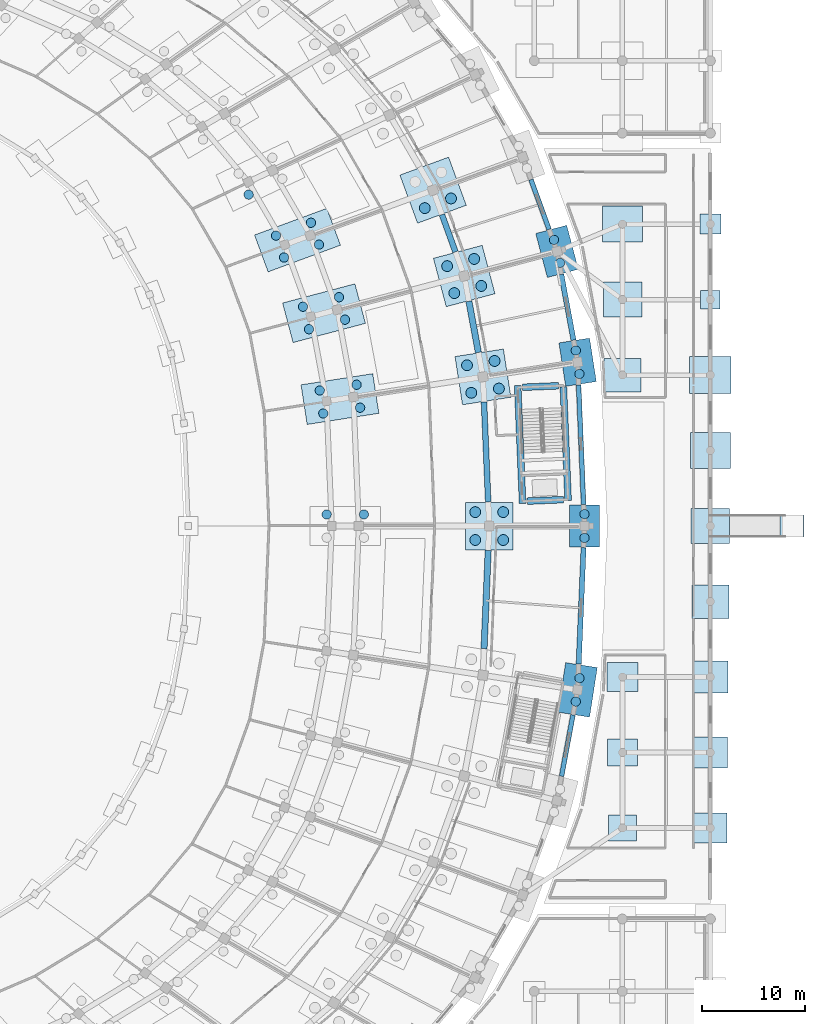
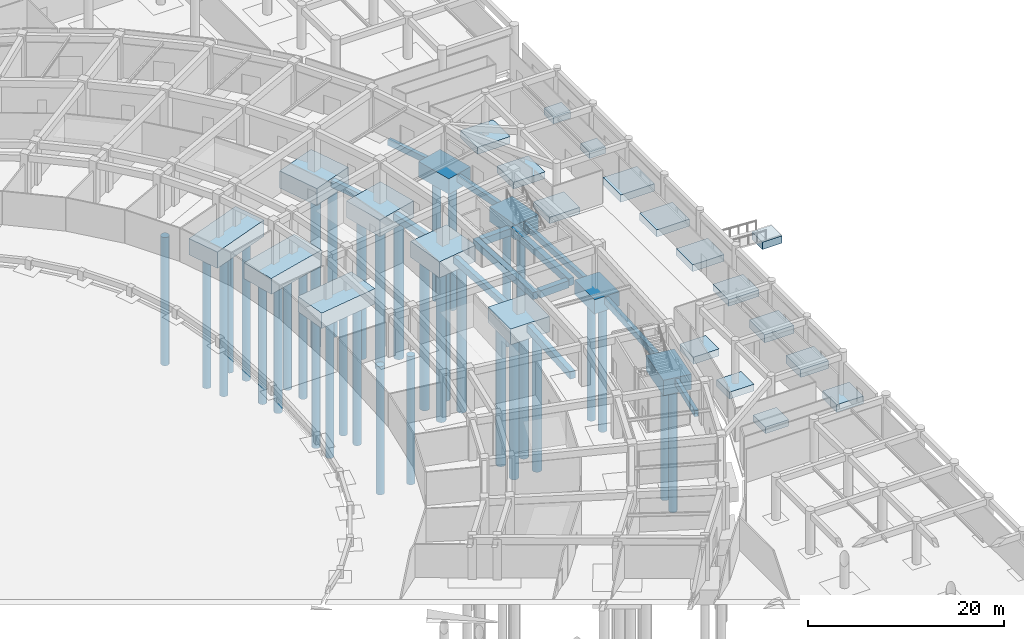
# One storey, part 8 of 88: 40 footings, 37 piles.
"""IFC4 building model written with IfcOpenShell, lengths in metres."""

from ifc_helpers import new_model, si_unit, direction, frame, origin, origin_2d, place, context, subcontext, project, spatial, rectangle, circle, extrude, material, material_profile, profile_set, type_object, element, save


model = new_model("IFC4")

# Units and contexts
model_context = context("Model", 3, precision=1e-05, world=origin(), true_north=direction((0.0, 1.0)))
body_context = subcontext(model_context, "Body", "Model", "MODEL_VIEW")
ifc_project = project(units=[si_unit("LENGTHUNIT", "METRE"), si_unit("AREAUNIT", "SQUARE_METRE"), si_unit("VOLUMEUNIT", "CUBIC_METRE"), si_unit("PLANEANGLEUNIT", "RADIAN"), si_unit("MASSUNIT", "GRAM", prefix="KILO")], contexts=[model_context])

# Site, building, storey
site_placement = place(None, origin())
site = spatial("IfcSite", under=ifc_project, at=site_placement, CompositionType="ELEMENT")
building_placement = place(site_placement, origin())
building = spatial("IfcBuilding", under=site, at=building_placement, Name="Mphavela Belvedere Stadium", CompositionType="ELEMENT")
storey_placement = place(building_placement, origin())
storey = spatial("IfcBuildingStorey", under=building, at=storey_placement, Name="L00", CompositionType="ELEMENT", Elevation=0.0)

# Footings
ifc_material_1 = material(Name="Concrete C35/45", Category="concrete")
footing_type_1 = type_object("IfcFootingType", Name="FTG-CORE-CF01", PredefinedType="PAD_FOOTING", material=ifc_material_1)
footing_1_placement = place(storey_placement, frame((211.59619140625, 94.8955078125, -0.89990234375), z_axis=(0.0, 0.0, 1.0), x_axis=(0.041875653729, -0.999122830099, 0.0)))
element("IfcFooting", 1, at=footing_1_placement, inside=storey, type_object=footing_type_1, Name="Core C01 shear wall foundation pad front", PredefinedType="PAD_FOOTING", context=body_context, shape_type="SweptSolid", body=[
    extrude(rectangle(XDim=11.419921875, YDim=0.64990234375, at=origin_2d()), origin(), (0.0, 0.0, 1.0), 0.89990234375),
])
ifc_material_2 = material(Name="Concrete C35/45", Category="concrete")
footing_type_2 = type_object("IfcFootingType", Name="FTG-CORE-CF07", PredefinedType="PAD_FOOTING", material=ifc_material_2)
for number, where, z_axis, x_axis, name in (
    (2, (213.568603515625, 100.492919921875, -0.89990234375), (0.0, 0.0, 1.0), (0.999122830099, 0.041875653729, 0.0), "Core C01 shear wall foundation pad left"),
    (3, (214.030029296875, 89.482421875, -0.89990234375), (0.0, 0.0, 1.0), (0.999122830099, 0.041875653729, 0.0), "Core C01 shear wall foundation pad right"),
):
    element("IfcFooting", number, at=place(storey_placement, frame(where, z_axis=z_axis, x_axis=x_axis)), inside=storey, type_object=footing_type_2, Name=name, PredefinedType="PAD_FOOTING", context=body_context, shape_type="SweptSolid", body=[
        extrude(rectangle(XDim=3.5, YDim=0.64990234375, at=origin_2d()), origin(), (0.0, 0.0, 1.0), 0.89990234375),
    ])
ifc_material_3 = material(Name="Concrete C35/45", Category="concrete")
footing_type_3 = type_object("IfcFootingType", Name="FTG-CORE-CF25", PredefinedType="PAD_FOOTING", material=ifc_material_3)
footing_2_placement = place(storey_placement, frame((216.007080078125, 94.968017578125, -0.89990234375), z_axis=(0.0, 0.0, 1.0), x_axis=(0.041875653729, -0.999122830099, 0.0)))
element("IfcFooting", 4, at=footing_2_placement, inside=storey, type_object=footing_type_3, Name="Core C01 shear wall foundation pad rear", PredefinedType="PAD_FOOTING", context=body_context, shape_type="SweptSolid", body=[
    extrude(rectangle(XDim=11.0, YDim=0.64990234375, at=origin_2d()), origin(), (0.0, 0.0, 1.0), 0.89990234375),
])
ifc_material_4 = material(Name="Concrete C35/45", Category="concrete")
ifc_material_profile_1 = material_profile(ifc_material_4, rectangle(XDim=0.449951171875, YDim=0.75, at=origin_2d()), Name="GB 450x750")
ifc_profile_set_1 = profile_set([ifc_material_profile_1], Name="Concrete C35/45")
footing_type_4 = type_object("IfcFootingType", Name="FTG-GB-01", PredefinedType="FOOTING_BEAM", material=ifc_profile_set_1)
footing_3_placement = place(storey_placement, frame((217.732177734375, 89.093505859375, -0.5), z_axis=(-0.041900969976, 0.999121768712, 0.0), x_axis=(-0.999121768712, -0.041900969976, 0.0)))
element("IfcFooting", 5, at=footing_3_placement, inside=storey, type_object=footing_type_4, Name="Ground tie-beam R4-01", PredefinedType="FOOTING_BEAM", context=body_context, shape_type="SweptSolid", body=[
    extrude(rectangle(XDim=0.449951171875, YDim=0.75, at=origin_2d()), origin(), (0.0, 0.0, 1.0), 11.56591796875),
])
footing_4_placement = place(storey_placement, frame((214.392822265625, 115.689697265625, -0.5), z_axis=(-0.341054931987, 0.940043367812, 0.0), x_axis=(-0.940043367812, -0.341054931987, 0.0)))
element("IfcFooting", 6, at=footing_4_placement, inside=storey, type_object=footing_type_4, Name="Ground tie-beam R4-03", PredefinedType="FOOTING_BEAM", context=body_context, shape_type="SweptSolid", body=[
    extrude(rectangle(XDim=0.449951171875, YDim=0.75, at=origin_2d()), origin(), (0.0, 0.0, 1.0), 5.128173828125),
])
footing_5_placement = place(storey_placement, frame((215.604248046875, 62.8046875, -0.5), z_axis=(0.182627438799, 0.983182189931, 0.0), x_axis=(-0.983182189931, 0.182627438799, 0.0)))
element("IfcFooting", 7, at=footing_5_placement, inside=storey, type_object=footing_type_4, Name="Ground tie-beam R4-47", PredefinedType="FOOTING_BEAM", context=body_context, shape_type="SweptSolid", body=[
    extrude(rectangle(XDim=0.449951171875, YDim=0.75, at=origin_2d()), origin(), (0.0, 0.0, 1.0), 6.0263671875),
])
ifc_material_5 = material(Name="Concrete C35/45", Category="concrete")
ifc_material_profile_2 = material_profile(ifc_material_5, rectangle(XDim=0.5, YDim=0.800048828125, at=origin_2d()), Name="GB 500x800")
ifc_profile_set_2 = profile_set([ifc_material_profile_2], Name="Concrete C35/45")
footing_type_5 = type_object("IfcFootingType", Name="FTG-GB-02", PredefinedType="FOOTING_BEAM", material=ifc_profile_set_2)
footing_6_placement = place(storey_placement, frame((216.759521484375, 104.97607421875, -0.5), z_axis=(-0.182630729722, 0.983181578632, 0.0), x_axis=(-0.983181578632, -0.182630729722, 0.0)))
element("IfcFooting", 8, at=footing_6_placement, inside=storey, type_object=footing_type_5, Name="Ground tie-beam R4-02", PredefinedType="FOOTING_BEAM", context=body_context, shape_type="SweptSolid", body=[
    extrude(rectangle(XDim=0.5, YDim=0.800048828125, at=origin_2d()), origin(), (0.0, 0.0, 1.0), 6.47412109375),
])
footing_7_placement = place(storey_placement, frame((217.26025390625, 73.655517578125, -0.5), z_axis=(0.041911924712, 0.999121309235, 0.0), x_axis=(-0.999121309235, 0.041911924712, 0.0)))
element("IfcFooting", 9, at=footing_7_placement, inside=storey, type_object=footing_type_5, Name="Ground tie-beam R4-48", PredefinedType="FOOTING_BEAM", context=body_context, shape_type="SweptSolid", body=[
    extrude(rectangle(XDim=0.5, YDim=0.800048828125, at=origin_2d()), origin(), (0.0, 0.0, 1.0), 11.260009765625),
])
ifc_material_6 = material(Name="Concrete C35/45", Category="concrete")
ifc_material_profile_3 = material_profile(ifc_material_6, rectangle(XDim=0.550048828125, YDim=0.85009765625, at=origin_2d()), Name="GB 550x850")
ifc_profile_set_3 = profile_set([ifc_material_profile_3], Name="Concrete C35/45")
footing_type_6 = type_object("IfcFootingType", Name="FTG-GB-03", PredefinedType="FOOTING_BEAM", material=ifc_profile_set_3)
footing_8_placement = place(storey_placement, frame((208.506591796875, 89.345458984375, -0.550048828125), z_axis=(-0.04189572605, 0.999121988617, 0.0), x_axis=(-0.999121988617, -0.04189572605, 0.0)))
element("IfcFooting", 10, at=footing_8_placement, inside=storey, type_object=footing_type_6, Name="Ground tie-beam R3-01", PredefinedType="FOOTING_BEAM", context=body_context, shape_type="SweptSolid", body=[
    extrude(rectangle(XDim=0.550048828125, YDim=0.85009765625, at=origin_2d()), origin(), (0.0, 0.0, 1.0), 9.650146484375),
])
footing_9_placement = place(storey_placement, frame((205.339111328125, 113.52099609375, -0.550048828125), z_axis=(-0.341067056059, 0.940038969017, 0.0), x_axis=(-0.940038969017, -0.341067056059, 0.0)))
element("IfcFooting", 11, at=footing_9_placement, inside=storey, type_object=footing_type_6, Name="Ground tie-beam R3-03", PredefinedType="FOOTING_BEAM", context=body_context, shape_type="SweptSolid", body=[
    extrude(rectangle(XDim=0.550048828125, YDim=0.85009765625, at=origin_2d()), origin(), (0.0, 0.0, 1.0), 3.828125),
])
ifc_material_7 = material(Name="Concrete C35/45", Category="concrete")
ifc_material_profile_4 = material_profile(ifc_material_7, rectangle(XDim=0.60009765625, YDim=0.89990234375, at=origin_2d()), Name="GB 600x900")
ifc_profile_set_4 = profile_set([ifc_material_profile_4], Name="Concrete C35/45")
footing_type_7 = type_object("IfcFootingType", Name="FTG-GB-04", PredefinedType="FOOTING_BEAM", material=ifc_profile_set_4)
footing_10_placement = place(storey_placement, frame((207.56103515625, 103.78857421875, -0.550048828125), z_axis=(-0.182663824385, 0.983175430562, 0.0), x_axis=(-0.983175430562, -0.182663824385, 0.0)))
element("IfcFooting", 12, at=footing_10_placement, inside=storey, type_object=footing_type_7, Name="Ground tie-beam R3-02", PredefinedType="FOOTING_BEAM", context=body_context, shape_type="SweptSolid", body=[
    extrude(rectangle(XDim=0.60009765625, YDim=0.89990234375, at=origin_2d()), origin(), (0.0, 0.0, 1.0), 5.0361328125),
])
footing_11_placement = place(storey_placement, frame((208.107421875, 75.136474609375, -0.550048828125), z_axis=(0.04190666482, 0.999121529867, 0.0), x_axis=(-0.999121529867, 0.04190666482, 0.0)))
element("IfcFooting", 13, at=footing_11_placement, inside=storey, type_object=footing_type_7, Name="Ground tie-beam R3-48", PredefinedType="FOOTING_BEAM", context=body_context, shape_type="SweptSolid", body=[
    extrude(rectangle(XDim=0.60009765625, YDim=0.89990234375, at=origin_2d()), origin(), (0.0, 0.0, 1.0), 9.525146484375),
])
ifc_material_8 = material(Name="Concrete C35/45", Category="concrete")
footing_type_8 = type_object("IfcFootingType", Name="FTG-PAD-01", PredefinedType="PAD_FOOTING", material=ifc_material_8)
footing_12_placement = place(storey_placement, frame((230.0, 108.89990234375, -0.7998046875), z_axis=(0.0, 0.0, 1.0), x_axis=(1.0, 0.0, 0.0)))
element("IfcFooting", 14, at=footing_12_placement, inside=storey, type_object=footing_type_8, Name="East Planted Eaves Peristyle Colonnade pad footing 9-9", PredefinedType="PAD_FOOTING", context=body_context, shape_type="SweptSolid", body=[
    extrude(rectangle(XDim=1.89990234375, YDim=1.800048828125, at=origin_2d()), origin(), (0.0, 0.0, 1.0), 0.800048828125),
])
ifc_material_9 = material(Name="Concrete C35/45", Category="concrete")
footing_type_9 = type_object("IfcFootingType", Name="FTG-PAD-02", PredefinedType="PAD_FOOTING", material=ifc_material_9)
footing_13_placement = place(storey_placement, frame((230.0, 116.199951171875, -0.83984375), z_axis=(0.0, 0.0, 1.0), x_axis=(1.0, 0.0, 0.0)))
element("IfcFooting", 15, at=footing_13_placement, inside=storey, type_object=footing_type_9, Name="East Planted Eaves Peristyle Colonnade pad footing 9-10", PredefinedType="PAD_FOOTING", context=body_context, shape_type="SweptSolid", body=[
    extrude(rectangle(XDim=2.0400390625, YDim=1.919921875, at=origin_2d()), origin(), (0.0, 0.0, 1.0), 0.840087890625),
])
ifc_material_10 = material(Name="Concrete C35/45", Category="concrete")
footing_type_10 = type_object("IfcFootingType", Name="FTG-PAD-04", PredefinedType="PAD_FOOTING", material=ifc_material_10)
footing_14_placement = place(storey_placement, frame((237.89990234375, 87.0, -1.4599609375), z_axis=(0.0, 0.0, 1.0), x_axis=(1.0, 0.0, 0.0)))
element("IfcFooting", 16, at=footing_14_placement, inside=storey, type_object=footing_type_10, Name="Ramp RP6 approach foundation pad", PredefinedType="PAD_FOOTING", context=body_context, shape_type="SweptSolid", body=[
    extrude(rectangle(XDim=2.320068359375, YDim=2.159912109375, at=origin_2d()), origin(), (0.0, 0.0, 1.0), 0.919921875),
])
ifc_material_11 = material(Name="Concrete C35/45", Category="concrete")
footing_type_11 = type_object("IfcFootingType", Name="FTG-PAD-07", PredefinedType="PAD_FOOTING", material=ifc_material_11)
footing_15_placement = place(storey_placement, frame((221.5, 57.800048828125, -0.7998046875), z_axis=(0.0, 0.0, 1.0), x_axis=(1.0, 0.0, 0.0)))
element("IfcFooting", 17, at=footing_15_placement, inside=storey, type_object=footing_type_11, Name="East Planted Eaves Peristyle Colonnade pad footing 8-2", PredefinedType="PAD_FOOTING", context=body_context, shape_type="SweptSolid", body=[
    extrude(rectangle(XDim=2.739990234375, YDim=2.52001953125, at=origin_2d()), origin(), (0.0, 0.0, 1.0), 0.800048828125),
])
ifc_material_12 = material(Name="Concrete C35/45", Category="concrete")
footing_type_12 = type_object("IfcFootingType", Name="FTG-PAD-08", PredefinedType="PAD_FOOTING", material=ifc_material_12)
footing_16_placement = place(storey_placement, frame((221.5, 65.10009765625, -0.83984375), z_axis=(0.0, 0.0, 1.0), x_axis=(1.0, 0.0, 0.0)))
element("IfcFooting", 18, at=footing_16_placement, inside=storey, type_object=footing_type_12, Name="East Planted Eaves Peristyle Colonnade pad footing 8-3", PredefinedType="PAD_FOOTING", context=body_context, shape_type="SweptSolid", body=[
    extrude(rectangle(XDim=2.8798828125, YDim=2.639892578125, at=origin_2d()), origin(), (0.0, 0.0, 1.0), 0.840087890625),
])
ifc_material_13 = material(Name="Concrete C35/45", Category="concrete")
footing_type_13 = type_object("IfcFootingType", Name="FTG-PAD-09", PredefinedType="PAD_FOOTING", material=ifc_material_13)
footing_17_placement = place(storey_placement, frame((221.5, 72.39990234375, -0.8798828125), z_axis=(0.0, 0.0, 1.0), x_axis=(1.0, 0.0, 0.0)))
element("IfcFooting", 19, at=footing_17_placement, inside=storey, type_object=footing_type_13, Name="East Planted Eaves Peristyle Colonnade pad footing 8-4", PredefinedType="PAD_FOOTING", context=body_context, shape_type="SweptSolid", body=[
    extrude(rectangle(XDim=3.02001953125, YDim=2.760009765625, at=origin_2d()), origin(), (0.0, 0.0, 1.0), 0.8798828125),
])
ifc_material_14 = material(Name="Concrete C35/45", Category="concrete")
footing_type_14 = type_object("IfcFootingType", Name="FTG-PAD-10", PredefinedType="PAD_FOOTING", material=ifc_material_14)
footing_18_placement = place(storey_placement, frame((230.0, 57.800048828125, -0.919921875), z_axis=(0.0, 0.0, 1.0), x_axis=(1.0, 0.0, 0.0)))
element("IfcFooting", 20, at=footing_18_placement, inside=storey, type_object=footing_type_14, Name="East Planted Eaves Peristyle Colonnade pad footing 9-2", PredefinedType="PAD_FOOTING", context=body_context, shape_type="SweptSolid", body=[
    extrude(rectangle(XDim=3.159912109375, YDim=2.8798828125, at=origin_2d()), origin(), (0.0, 0.0, 1.0), 0.919921875),
])
ifc_material_15 = material(Name="Concrete C35/45", Category="concrete")
footing_type_15 = type_object("IfcFootingType", Name="FTG-PAD-11", PredefinedType="PAD_FOOTING", material=ifc_material_15)
footing_19_placement = place(storey_placement, frame((230.0, 65.10009765625, -0.9599609375), z_axis=(0.0, 0.0, 1.0), x_axis=(1.0, 0.0, 0.0)))
element("IfcFooting", 21, at=footing_19_placement, inside=storey, type_object=footing_type_15, Name="East Planted Eaves Peristyle Colonnade pad footing 9-3", PredefinedType="PAD_FOOTING", context=body_context, shape_type="SweptSolid", body=[
    extrude(rectangle(XDim=3.300048828125, YDim=3.0, at=origin_2d()), origin(), (0.0, 0.0, 1.0), 0.9599609375),
])
ifc_material_16 = material(Name="Concrete C35/45", Category="concrete")
footing_type_16 = type_object("IfcFootingType", Name="FTG-PAD-12", PredefinedType="PAD_FOOTING", material=ifc_material_16)
footing_20_placement = place(storey_placement, frame((230.0, 72.39990234375, -1.0), z_axis=(0.0, 0.0, 1.0), x_axis=(1.0, 0.0, 0.0)))
element("IfcFooting", 22, at=footing_20_placement, inside=storey, type_object=footing_type_16, Name="East Planted Eaves Peristyle Colonnade pad footing 9-4", PredefinedType="PAD_FOOTING", context=body_context, shape_type="SweptSolid", body=[
    extrude(rectangle(XDim=3.43994140625, YDim=3.1201171875, at=origin_2d()), origin(), (0.0, 0.0, 1.0), 1.0),
])
ifc_material_17 = material(Name="Concrete C35/45", Category="concrete")
footing_type_17 = type_object("IfcFootingType", Name="FTG-PAD-13", PredefinedType="PAD_FOOTING", material=ifc_material_17)
for number, where, z_axis, x_axis, name in (
    (23, (221.5, 101.60009765625, -0.7998046875), (0.0, 0.0, 1.0), (1.0, 0.0, 0.0), "East Planted Eaves Peristyle Colonnade pad footing 8-8"),
    (24, (230.0, 79.699951171875, -0.7998046875), (0.0, 0.0, 1.0), (1.0, 0.0, 0.0), "East Planted Eaves Peristyle Colonnade pad footing 9-5"),
):
    element("IfcFooting", number, at=place(storey_placement, frame(where, z_axis=z_axis, x_axis=x_axis)), inside=storey, type_object=footing_type_17, Name=name, PredefinedType="PAD_FOOTING", context=body_context, shape_type="SweptSolid", body=[
        extrude(rectangle(XDim=3.580078125, YDim=3.239990234375, at=origin_2d()), origin(), (0.0, 0.0, 1.0), 0.800048828125),
    ])
ifc_material_18 = material(Name="Concrete C35/45", Category="concrete")
footing_type_18 = type_object("IfcFootingType", Name="FTG-PAD-14", PredefinedType="PAD_FOOTING", material=ifc_material_18)
for number, where, z_axis, x_axis, name in (
    (25, (221.5, 108.89990234375, -0.83984375), (0.0, 0.0, 1.0), (1.0, 0.0, 0.0), "East Planted Eaves Peristyle Colonnade pad footing 8-9"),
    (26, (230.0, 87.0, -0.83984375), (0.0, 0.0, 1.0), (1.0, 0.0, 0.0), "East Planted Eaves Peristyle Colonnade pad footing 9-6"),
):
    element("IfcFooting", number, at=place(storey_placement, frame(where, z_axis=z_axis, x_axis=x_axis)), inside=storey, type_object=footing_type_18, Name=name, PredefinedType="PAD_FOOTING", context=body_context, shape_type="SweptSolid", body=[
        extrude(rectangle(XDim=3.719970703125, YDim=3.360107421875, at=origin_2d()), origin(), (0.0, 0.0, 1.0), 0.840087890625),
    ])
ifc_material_19 = material(Name="Concrete C35/45", Category="concrete")
footing_type_19 = type_object("IfcFootingType", Name="FTG-PAD-15", PredefinedType="PAD_FOOTING", material=ifc_material_19)
for number, where, z_axis, x_axis, name in (
    (27, (221.5, 116.199951171875, -0.8798828125), (0.0, 0.0, 1.0), (1.0, 0.0, 0.0), "East Planted Eaves Peristyle Colonnade pad footing 8-10"),
    (28, (230.0, 94.300048828125, -0.8798828125), (0.0, 0.0, 1.0), (1.0, 0.0, 0.0), "East Planted Eaves Peristyle Colonnade pad footing 9-7"),
):
    element("IfcFooting", number, at=place(storey_placement, frame(where, z_axis=z_axis, x_axis=x_axis)), inside=storey, type_object=footing_type_19, Name=name, PredefinedType="PAD_FOOTING", context=body_context, shape_type="SweptSolid", body=[
        extrude(rectangle(XDim=3.860107421875, YDim=3.47998046875, at=origin_2d()), origin(), (0.0, 0.0, 1.0), 0.8798828125),
    ])
ifc_material_20 = material(Name="Concrete C35/45", Category="concrete")
footing_type_20 = type_object("IfcFootingType", Name="FTG-PAD-16", PredefinedType="PAD_FOOTING", material=ifc_material_20)
footing_21_placement = place(storey_placement, frame((230.0, 101.60009765625, -0.919921875), z_axis=(0.0, 0.0, 1.0), x_axis=(1.0, 0.0, 0.0)))
element("IfcFooting", 29, at=footing_21_placement, inside=storey, type_object=footing_type_20, Name="East Planted Eaves Peristyle Colonnade pad footing 9-8", PredefinedType="PAD_FOOTING", context=body_context, shape_type="SweptSolid", body=[
    extrude(rectangle(XDim=4.0, YDim=3.60009765625, at=origin_2d()), origin(), (0.0, 0.0, 1.0), 0.919921875),
])
ifc_material_21 = material(Name="Concrete C35/45", Category="concrete")
footing_type_21 = type_object("IfcFootingType", Name="FTG-PC-R12-02", PredefinedType="PILE_CAP", material=ifc_material_21)
footing_22_placement = place(storey_placement, frame((194.17041015625, 99.27978515625, -1.91015625), z_axis=(0.0, 0.0, 1.0), x_axis=(0.98817491911, 0.153330783737, 0.0)))
element("IfcFooting", 30, at=footing_22_placement, inside=storey, type_object=footing_type_21, Name="Bowl inner pile cap 02", PredefinedType="PILE_CAP", context=body_context, shape_type="SweptSolid", body=[
    extrude(rectangle(XDim=7.02001953125, YDim=3.8798828125, at=origin_2d()), origin(), (0.0, 0.0, 1.0), 1.909912109375),
])
ifc_material_22 = material(Name="Concrete C35/45", Category="concrete")
footing_type_22 = type_object("IfcFootingType", Name="FTG-PC-R12-03", PredefinedType="PILE_CAP", material=ifc_material_22)
footing_23_placement = place(storey_placement, frame((192.627685546875, 107.5859375, -1.97021484375), z_axis=(0.0, 0.0, 1.0), x_axis=(0.966600102017, 0.256289373133, 0.0)))
element("IfcFooting", 31, at=footing_23_placement, inside=storey, type_object=footing_type_22, Name="Bowl inner pile cap 03", PredefinedType="PILE_CAP", context=body_context, shape_type="SweptSolid", body=[
    extrude(rectangle(XDim=7.239990234375, YDim=3.9599609375, at=origin_2d()), origin(), (0.0, 0.0, 1.0), 1.969970703125),
])
ifc_material_23 = material(Name="Concrete C35/45", Category="concrete")
footing_type_23 = type_object("IfcFootingType", Name="FTG-PC-R12-04", PredefinedType="PILE_CAP", material=ifc_material_23)
footing_24_placement = place(storey_placement, frame((190.0634765625, 114.65380859375, -2.02978515625), z_axis=(0.0, 0.0, 1.0), x_axis=(0.938372433776, 0.34562577382, 0.0)))
element("IfcFooting", 32, at=footing_24_placement, inside=storey, type_object=footing_type_23, Name="Bowl inner pile cap 04", PredefinedType="PILE_CAP", context=body_context, shape_type="SweptSolid", body=[
    extrude(rectangle(XDim=7.4599609375, YDim=3.800048828125, at=origin_2d()), origin(), (0.0, 0.0, 1.0), 2.030029296875),
])
ifc_material_24 = material(Name="Concrete C35/45", Category="concrete")
footing_type_24 = type_object("IfcFootingType", Name="FTG-PC-R3-01", PredefinedType="PILE_CAP", material=ifc_material_24)
footing_25_placement = place(storey_placement, frame((208.60498046875, 87.0, -1.9501953125), z_axis=(0.0, 0.0, 1.0), x_axis=(1.0, 0.0, 0.0)))
element("IfcFooting", 33, at=footing_25_placement, inside=storey, type_object=footing_type_24, Name="Bowl main pile cap 01", PredefinedType="PILE_CAP", context=body_context, shape_type="SweptSolid", body=[
    extrude(rectangle(XDim=4.60009765625, YDim=4.60009765625, at=origin_2d()), origin(), (0.0, 0.0, 1.0), 1.949951171875),
])
ifc_material_25 = material(Name="Concrete C35/45", Category="concrete")
footing_type_25 = type_object("IfcFootingType", Name="FTG-PC-R3-02", PredefinedType="PILE_CAP", material=ifc_material_25)
footing_26_placement = place(storey_placement, frame((208.0, 101.4248046875, -2.009765625), z_axis=(0.0, 0.0, 1.0), x_axis=(0.98817491911, 0.153330783737, 0.0)))
element("IfcFooting", 34, at=footing_26_placement, inside=storey, type_object=footing_type_25, Name="Bowl main pile cap 02", PredefinedType="PILE_CAP", context=body_context, shape_type="SweptSolid", body=[
    extrude(rectangle(XDim=4.739990234375, YDim=4.719970703125, at=origin_2d()), origin(), (0.0, 0.0, 1.0), 2.010009765625),
])
ifc_material_26 = material(Name="Concrete C35/45", Category="concrete")
footing_type_26 = type_object("IfcFootingType", Name="FTG-PC-R3-03", PredefinedType="PILE_CAP", material=ifc_material_26)
footing_27_placement = place(storey_placement, frame((206.1875, 111.181884765625, -2.06982421875), z_axis=(0.0, 0.0, 1.0), x_axis=(0.966600102017, 0.256289373133, 0.0)))
element("IfcFooting", 35, at=footing_27_placement, inside=storey, type_object=footing_type_26, Name="Bowl main pile cap 03", PredefinedType="PILE_CAP", context=body_context, shape_type="SweptSolid", body=[
    extrude(rectangle(XDim=4.8798828125, YDim=4.840087890625, at=origin_2d()), origin(), (0.0, 0.0, 1.0), 2.070068359375),
])
ifc_material_27 = material(Name="Concrete C35/45", Category="concrete")
footing_type_27 = type_object("IfcFootingType", Name="FTG-PC-R3-04", PredefinedType="PILE_CAP", material=ifc_material_27)
footing_28_placement = place(storey_placement, frame((203.175537109375, 119.484375, -2.1298828125), z_axis=(0.0, 0.0, 1.0), x_axis=(0.938372433776, 0.34562577382, 0.0)))
element("IfcFooting", 36, at=footing_28_placement, inside=storey, type_object=footing_type_27, Name="Bowl main pile cap 04", PredefinedType="PILE_CAP", context=body_context, shape_type="SweptSolid", body=[
    extrude(rectangle(XDim=5.02001953125, YDim=4.9599609375, at=origin_2d()), origin(), (0.0, 0.0, 1.0), 2.1298828125),
])
ifc_material_28 = material(Name="Concrete C35/45", Category="concrete")
footing_type_28 = type_object("IfcFootingType", Name="FTG-PC-R4-01", PredefinedType="PILE_CAP", material=ifc_material_28)
footing_29_placement = place(storey_placement, frame((217.820068359375, 87.0, -1.7998046875), z_axis=(0.0, 0.0, 1.0), x_axis=(0.0, 1.0, 0.0)))
element("IfcFooting", 37, at=footing_29_placement, inside=storey, type_object=footing_type_28, Name="Perimeter colonnade pile cap 01", PredefinedType="PILE_CAP", context=body_context, shape_type="SweptSolid", body=[
    extrude(rectangle(XDim=4.10009765625, YDim=2.89990234375, at=origin_2d()), origin(), (0.0, 0.0, 1.0), 1.800048828125),
])
ifc_material_29 = material(Name="Concrete C35/45", Category="concrete")
footing_type_29 = type_object("IfcFootingType", Name="FTG-PC-R4-02", PredefinedType="PILE_CAP", material=ifc_material_29)
footing_30_placement = place(storey_placement, frame((217.155517578125, 102.844970703125, -1.85986328125), z_axis=(0.0, 0.0, 1.0), x_axis=(-0.153330783737, 0.98817491911, 0.0)))
element("IfcFooting", 38, at=footing_30_placement, inside=storey, type_object=footing_type_29, Name="Perimeter colonnade pile cap 02", PredefinedType="PILE_CAP", context=body_context, shape_type="SweptSolid", body=[
    extrude(rectangle(XDim=4.25, YDim=3.0, at=origin_2d()), origin(), (0.0, 0.0, 1.0), 1.860107421875),
])
ifc_material_30 = material(Name="Concrete C35/45", Category="concrete")
footing_type_30 = type_object("IfcFootingType", Name="FTG-PC-R4-03", PredefinedType="PILE_CAP", material=ifc_material_30)
footing_31_placement = place(storey_placement, frame((215.16455078125, 113.5625, -1.919921875), z_axis=(0.0, 0.0, 1.0), x_axis=(-0.256289373133, 0.966600102017, 0.0)))
element("IfcFooting", 39, at=footing_31_placement, inside=storey, type_object=footing_type_30, Name="Perimeter colonnade pile cap 03", PredefinedType="PILE_CAP", context=body_context, shape_type="SweptSolid", body=[
    extrude(rectangle(XDim=4.39990234375, YDim=3.10009765625, at=origin_2d()), origin(), (0.0, 0.0, 1.0), 1.919921875),
])
ifc_material_31 = material(Name="Concrete C35/45", Category="concrete")
footing_type_31 = type_object("IfcFootingType", Name="FTG-PC-R4-06", PredefinedType="PILE_CAP", material=ifc_material_31)
footing_32_placement = place(storey_placement, frame((217.155517578125, 71.155029296875, -1.919921875), z_axis=(0.0, 0.0, 1.0), x_axis=(0.153330783737, 0.98817491911, 0.0)))
element("IfcFooting", 40, at=footing_32_placement, inside=storey, type_object=footing_type_31, Name="Perimeter colonnade pile cap 48", PredefinedType="PILE_CAP", context=body_context, shape_type="SweptSolid", body=[
    extrude(rectangle(XDim=4.85009765625, YDim=3.10009765625, at=origin_2d()), origin(), (0.0, 0.0, 1.0), 1.919921875),
])

# Piles
ifc_material_32 = material(Name="Concrete C35/45", Category="concrete")
ifc_material_profile_5 = material_profile(ifc_material_32, circle(Radius=0.52490234375, at=origin_2d()), Name="BP D1050")
ifc_profile_set_5 = profile_set([ifc_material_profile_5], Name="Concrete C35/45")
pile_type_1 = type_object("IfcPileType", Name="PIL-BP1050-A", PredefinedType="BORED", material=ifc_profile_set_5)
for number, where, z_axis, x_axis, name in (
    (41, (207.2548828125, 85.64990234375, -1.85009765625), (0.0, 0.0, -1.0), (1.0, 0.0, 0.0), "Bored pile R3-01-1"),
    (42, (207.2548828125, 88.35009765625, -1.85009765625), (0.0, 0.0, -1.0), (1.0, 0.0, 0.0), "Bored pile R3-01-2"),
    (43, (209.955078125, 85.64990234375, -1.85009765625), (0.0, 0.0, -1.0), (1.0, 0.0, 0.0), "Bored pile R3-01-3"),
    (44, (209.955078125, 88.35009765625, -1.85009765625), (0.0, 0.0, -1.0), (1.0, 0.0, 0.0), "Bored pile R3-01-4"),
    (45, (205.228759765625, 109.531005859375, -1.969970703125), (0.0, 0.0, -1.0), (1.0, 0.0, 0.0), "Bored pile R3-03-1"),
    (46, (204.53662109375, 112.140625, -1.969970703125), (0.0, 0.0, -1.0), (1.0, 0.0, 0.0), "Bored pile R3-03-2"),
    (47, (207.83837890625, 110.22314453125, -1.969970703125), (0.0, 0.0, -1.0), (1.0, 0.0, 0.0), "Bored pile R3-03-3"),
    (48, (207.146484375, 112.832763671875, -1.969970703125), (0.0, 0.0, -1.0), (1.0, 0.0, 0.0), "Bored pile R3-03-4"),
):
    element("IfcPile", number, at=place(storey_placement, frame(where, z_axis=z_axis, x_axis=x_axis)), inside=storey, type_object=pile_type_1, Name=name, PredefinedType="BORED", context=body_context, shape_type="SweptSolid", body=[
        extrude(circle(Radius=0.52490234375, at=origin_2d()), origin(), (0.0, 0.0, 1.0), 17.5),
    ])
ifc_material_33 = material(Name="Concrete C35/45", Category="concrete")
ifc_material_profile_6 = material_profile(ifc_material_33, circle(Radius=0.52490234375, at=origin_2d()), Name="BP D1050")
ifc_profile_set_6 = profile_set([ifc_material_profile_6], Name="Concrete C35/45")
pile_type_2 = type_object("IfcPileType", Name="PIL-BP1050-B", PredefinedType="BORED", material=ifc_profile_set_6)
for number, where, z_axis, x_axis, name in (
    (49, (206.872802734375, 99.8837890625, -1.909912109375), (0.0, 0.0, -1.0), (1.0, 0.0, 0.0), "Bored pile R3-02-1"),
    (50, (206.458984375, 102.552001953125, -1.909912109375), (0.0, 0.0, -1.0), (1.0, 0.0, 0.0), "Bored pile R3-02-2"),
    (51, (209.541015625, 100.2978515625, -1.909912109375), (0.0, 0.0, -1.0), (1.0, 0.0, 0.0), "Bored pile R3-02-3"),
    (52, (209.127197265625, 102.9658203125, -1.909912109375), (0.0, 0.0, -1.0), (1.0, 0.0, 0.0), "Bored pile R3-02-4"),
    (53, (202.37548828125, 117.750732421875, -2.030029296875), (0.0, 0.0, -1.0), (1.0, 0.0, 0.0), "Bored pile R3-04-1"),
    (54, (204.9091796875, 118.68408203125, -2.030029296875), (0.0, 0.0, -1.0), (1.0, 0.0, 0.0), "Bored pile R3-04-3"),
):
    element("IfcPile", number, at=place(storey_placement, frame(where, z_axis=z_axis, x_axis=x_axis)), inside=storey, type_object=pile_type_2, Name=name, PredefinedType="BORED", context=body_context, shape_type="SweptSolid", body=[
        extrude(circle(Radius=0.52490234375, at=origin_2d()), origin(), (0.0, 0.0, 1.0), 18.800048828125),
    ])
ifc_material_34 = material(Name="Concrete C35/45", Category="concrete")
ifc_material_profile_7 = material_profile(ifc_material_34, circle(Radius=0.449951171875, at=origin_2d()), Name="BP D900")
ifc_profile_set_7 = profile_set([ifc_material_profile_7], Name="Concrete C35/45")
pile_type_3 = type_object("IfcPileType", Name="PIL-BP900-A", PredefinedType="BORED", material=ifc_profile_set_7)
for number, where, z_axis, x_axis, name in (
    (55, (192.885498046875, 88.125, -1.75), (0.0, 0.0, -1.0), (1.0, 0.0, 0.0), "Bored pile R12-01-2"),
    (56, (196.485595703125, 88.125, -1.75), (0.0, 0.0, -1.0), (1.0, 0.0, 0.0), "Bored pile R12-01-4"),
):
    element("IfcPile", number, at=place(storey_placement, frame(where, z_axis=z_axis, x_axis=x_axis)), inside=storey, type_object=pile_type_3, Name=name, PredefinedType="BORED", context=body_context, shape_type="SweptSolid", body=[
        extrude(circle(Radius=0.449951171875, at=origin_2d()), origin(), (0.0, 0.0, 1.0), 16.0),
    ])
for number, where, z_axis, x_axis, name in (
    (57, (217.820068359375, 85.85009765625, -1.699951171875), (0.0, 0.0, -1.0), (1.0, 0.0, 0.0), "Bored pile R4-01-1"),
    (58, (217.820068359375, 88.14990234375, -1.699951171875), (0.0, 0.0, -1.0), (1.0, 0.0, 0.0), "Bored pile R4-01-2"),
    (59, (217.331787109375, 101.70849609375, -1.760009765625), (0.0, 0.0, -1.0), (1.0, 0.0, 0.0), "Bored pile R4-02-1"),
    (60, (216.97900390625, 103.9814453125, -1.760009765625), (0.0, 0.0, -1.0), (1.0, 0.0, 0.0), "Bored pile R4-02-2"),
):
    element("IfcPile", number, at=place(storey_placement, frame(where, z_axis=z_axis, x_axis=x_axis)), inside=storey, type_object=pile_type_3, Name=name, PredefinedType="BORED", context=body_context, shape_type="SweptSolid", body=[
        extrude(circle(Radius=0.449951171875, at=origin_2d()), origin(), (0.0, 0.0, 1.0), 15.60009765625),
    ])
for number, where, z_axis, x_axis, name in (
    (61, (191.176025390625, 106.037109375, -1.8701171875), (0.0, 0.0, -1.0), (1.0, 0.0, 0.0), "Bored pile R12-03-1"),
    (62, (190.599365234375, 108.2119140625, -1.8701171875), (0.0, 0.0, -1.0), (1.0, 0.0, 0.0), "Bored pile R12-03-2"),
    (63, (194.65576171875, 106.9599609375, -1.8701171875), (0.0, 0.0, -1.0), (1.0, 0.0, 0.0), "Bored pile R12-03-3"),
    (64, (194.0791015625, 109.134765625, -1.8701171875), (0.0, 0.0, -1.0), (1.0, 0.0, 0.0), "Bored pile R12-03-4"),
):
    element("IfcPile", number, at=place(storey_placement, frame(where, z_axis=z_axis, x_axis=x_axis)), inside=storey, type_object=pile_type_3, Name=name, PredefinedType="BORED", context=body_context, shape_type="SweptSolid", body=[
        extrude(circle(Radius=0.449951171875, at=origin_2d()), origin(), (0.0, 0.0, 1.0), 16.0),
    ])
for number, where, z_axis, x_axis, name in (
    (65, (215.45947265625, 112.450927734375, -1.820068359375), (0.0, 0.0, -1.0), (1.0, 0.0, 0.0), "Bored pile R4-03-1"),
    (66, (214.869873046875, 114.674072265625, -1.820068359375), (0.0, 0.0, -1.0), (1.0, 0.0, 0.0), "Bored pile R4-03-2"),
):
    element("IfcPile", number, at=place(storey_placement, frame(where, z_axis=z_axis, x_axis=x_axis)), inside=storey, type_object=pile_type_3, Name=name, PredefinedType="BORED", context=body_context, shape_type="SweptSolid", body=[
        extrude(circle(Radius=0.449951171875, at=origin_2d()), origin(), (0.0, 0.0, 1.0), 15.60009765625),
    ])
pile_placement = place(storey_placement, frame((185.34228515625, 119.05078125, -1.75), z_axis=(0.0, 0.0, -1.0), x_axis=(1.0, 0.0, 0.0)))
element("IfcPile", 67, at=pile_placement, inside=storey, type_object=pile_type_3, Name="Bored pile R12-05-1", PredefinedType="BORED", context=body_context, shape_type="SweptSolid", body=[
    extrude(circle(Radius=0.449951171875, at=origin_2d()), origin(), (0.0, 0.0, 1.0), 16.0),
])
for number, where, z_axis, x_axis, name in (
    (68, (216.97900390625, 70.0185546875, -1.820068359375), (0.0, 0.0, -1.0), (1.0, 0.0, 0.0), "Bored pile R4-48-1"),
    (69, (217.331787109375, 72.29150390625, -1.820068359375), (0.0, 0.0, -1.0), (1.0, 0.0, 0.0), "Bored pile R4-48-2"),
):
    element("IfcPile", number, at=place(storey_placement, frame(where, z_axis=z_axis, x_axis=x_axis)), inside=storey, type_object=pile_type_3, Name=name, PredefinedType="BORED", context=body_context, shape_type="SweptSolid", body=[
        extrude(circle(Radius=0.449951171875, at=origin_2d()), origin(), (0.0, 0.0, 1.0), 15.60009765625),
    ])
ifc_material_35 = material(Name="Concrete C35/45", Category="concrete")
ifc_material_profile_8 = material_profile(ifc_material_35, circle(Radius=0.449951171875, at=origin_2d()), Name="BP D900")
ifc_profile_set_8 = profile_set([ifc_material_profile_8], Name="Concrete C35/45")
pile_type_4 = type_object("IfcPileType", Name="PIL-BP900-B", PredefinedType="BORED", material=ifc_profile_set_8)
for number, where, z_axis, x_axis, name in (
    (70, (192.564208984375, 97.892333984375, -1.81005859375), (0.0, 0.0, -1.0), (1.0, 0.0, 0.0), "Bored pile R12-02-1"),
    (71, (192.21923828125, 100.11572265625, -1.81005859375), (0.0, 0.0, -1.0), (1.0, 0.0, 0.0), "Bored pile R12-02-2"),
    (72, (196.12158203125, 98.444091796875, -1.81005859375), (0.0, 0.0, -1.0), (1.0, 0.0, 0.0), "Bored pile R12-02-3"),
    (73, (195.77685546875, 100.66748046875, -1.81005859375), (0.0, 0.0, -1.0), (1.0, 0.0, 0.0), "Bored pile R12-02-4"),
    (74, (188.76318359375, 112.975830078125, -1.929931640625), (0.0, 0.0, -1.0), (1.0, 0.0, 0.0), "Bored pile R12-04-1"),
    (75, (187.985595703125, 115.087158203125, -1.929931640625), (0.0, 0.0, -1.0), (1.0, 0.0, 0.0), "Bored pile R12-04-2"),
    (76, (192.141357421875, 114.220458984375, -1.929931640625), (0.0, 0.0, -1.0), (1.0, 0.0, 0.0), "Bored pile R12-04-3"),
    (77, (191.363525390625, 116.331787109375, -1.929931640625), (0.0, 0.0, -1.0), (1.0, 0.0, 0.0), "Bored pile R12-04-4"),
):
    element("IfcPile", number, at=place(storey_placement, frame(where, z_axis=z_axis, x_axis=x_axis)), inside=storey, type_object=pile_type_4, Name=name, PredefinedType="BORED", context=body_context, shape_type="SweptSolid", body=[
        extrude(circle(Radius=0.449951171875, at=origin_2d()), origin(), (0.0, 0.0, 1.0), 17.199951171875),
    ])

save(model, "model.ifc")
